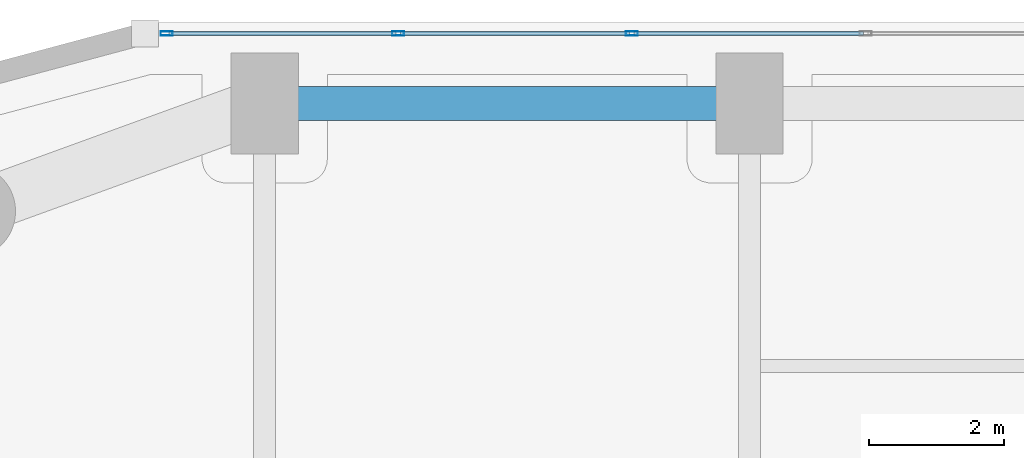
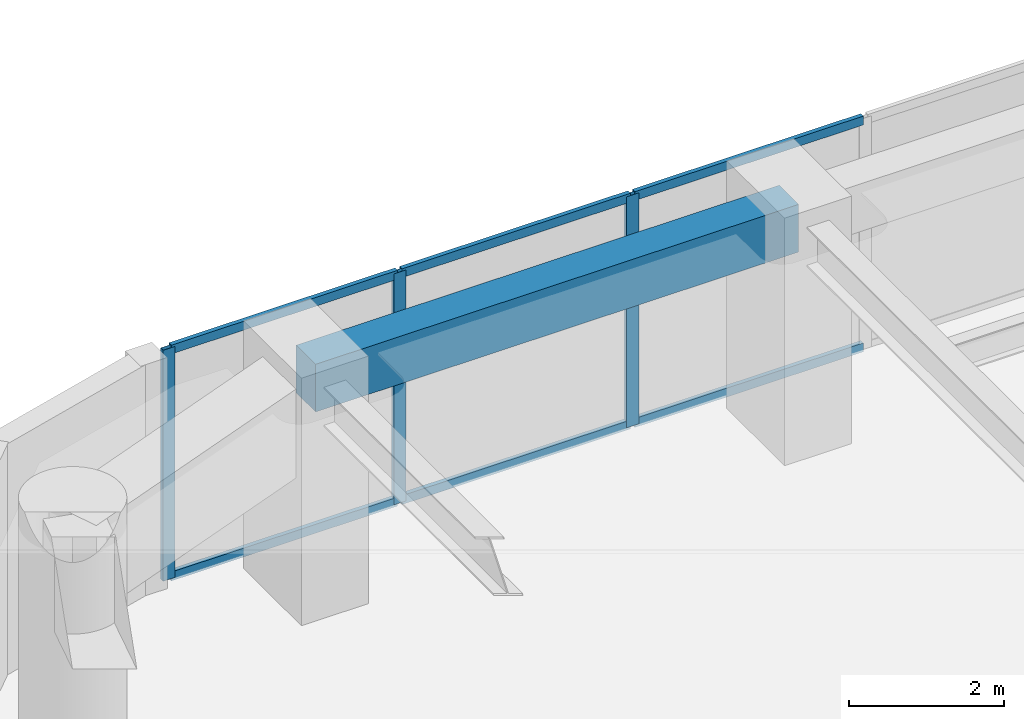
# One storey, part 13 of 24: 9 members, 1 beam, 1 element without a shape of its own.
"""IFC4 building model written with IfcOpenShell, lengths in metres."""

from ifc_helpers import new_model, si_unit, direction, frame, origin, origin_2d, place, context, subcontext, project, spatial, rectangle, hollow_rectangle, extrude, material, layer, layer_set, material_profile, profile_set, type_object, element, aggregate, save


model = new_model("IFC4")

# Units and contexts
model_context = context("Model", 3, precision=1e-05, world=origin(), true_north=direction((0.0, 1.0)))
body_context = subcontext(model_context, "Body", "Model", "MODEL_VIEW")
ifc_project = project(units=[si_unit("LENGTHUNIT", "METRE"), si_unit("AREAUNIT", "SQUARE_METRE"), si_unit("VOLUMEUNIT", "CUBIC_METRE"), si_unit("PLANEANGLEUNIT", "RADIAN"), si_unit("MASSUNIT", "GRAM", prefix="KILO")], contexts=[model_context])

# Site, building, storey
site_placement = place(None, origin())
site = spatial("IfcSite", under=ifc_project, at=site_placement, CompositionType="ELEMENT")
building_placement = place(site_placement, origin())
building = spatial("IfcBuilding", under=site, at=building_placement, Name="Kiyonajd Concourse Tower", CompositionType="ELEMENT")
storey_placement = place(building_placement, frame((0.0, 0.0, 85.800048828125)))
storey = spatial("IfcBuildingStorey", under=building, at=storey_placement, Name="L22", CompositionType="ELEMENT", Elevation=85.800048828125)

# Beam
ifc_material_1 = material(Name="Precast concrete C50/60", Category="concrete")
ifc_material_profile_1 = material_profile(ifc_material_1, rectangle(XDim=0.5, YDim=0.75, at=origin_2d()), Name="RCBM-500x750")
ifc_profile_set_1 = profile_set([ifc_material_profile_1], Name="Precast concrete C50/60")
beam_type = type_object("IfcBeamType", Name="BM-SPAN-RC", PredefinedType="SPANDREL", material=ifc_profile_set_1)
beam_placement = place(storey_placement, frame((32.39990234375, 61.199951171875, 3.264892578125), z_axis=(-1.0, 0.0, 0.0), x_axis=(0.0, -1.0, 0.0)))
element("IfcBeam", 1, at=beam_placement, inside=storey, type_object=beam_type, Name="L22 Perimeter Bundled Tube Spandrel", PredefinedType="SPANDREL", context=body_context, shape_type="SweptSolid", body=[
    extrude(rectangle(XDim=0.5, YDim=0.75, at=origin_2d()), origin(), (0.0, 0.0, 1.0), 7.199951171875),
])

# Curtain wall, members
ifc_material_2 = material(Name="Thermally Broken Anodised Aluminium", Category="aluminium")
ifc_layer = layer(ifc_material_2, 0.179931640625)
ifc_layer_set = layer_set([ifc_layer], Name="Thermally Broken Anodised Aluminium")
curtain_wall_type = type_object("IfcCurtainWallType", Name="CW-SYS-03", PredefinedType="NOTDEFINED", material=ifc_layer_set)
curtain_wall_placement = place(storey_placement, origin())
curtain_wall = element("IfcCurtainWall", 2, at=curtain_wall_placement, inside=storey, type_object=curtain_wall_type, Name="L22 Unitised Curtain Wall CW3", PredefinedType="NOTDEFINED")
ifc_material_profile_2 = material_profile(ifc_material_2, hollow_rectangle(XDim=0.06494140625, YDim=0.179931640625, WallThickness=0.00390625, at=origin_2d()), Name="MULL-65x180")
ifc_profile_set_2 = profile_set([ifc_material_profile_2], Name="Thermally Broken Anodised Aluminium")
member_type_1 = type_object("IfcMemberType", Name="MB-CW-MULL1", PredefinedType="MULLION", material=ifc_profile_set_2)
member_1_placement = place(storey_placement, frame((23.74365234375, 62.239990234375, 0.0), z_axis=(0.0, 0.0, 1.0), x_axis=(0.0, 1.0, 0.0)))
member_1 = element("IfcMember", 3, at=member_1_placement, type_object=member_type_1, Name="CW3 mullion 1", PredefinedType="MULLION", context=body_context, shape_type="SweptSolid", body=[
    extrude(hollow_rectangle(XDim=0.06494140625, YDim=0.179931640625, WallThickness=0.00390625, at=origin_2d()), origin(), (0.0, 0.0, 1.0), 3.639892578125),
])
member_2_placement = place(storey_placement, frame((27.181884765625, 62.239990234375, 0.0), z_axis=(0.0, 0.0, 1.0), x_axis=(0.0, 1.0, 0.0)))
member_2 = element("IfcMember", 4, at=member_2_placement, type_object=member_type_1, Name="CW3 mullion 2", PredefinedType="MULLION", context=body_context, shape_type="SweptSolid", body=[
    extrude(hollow_rectangle(XDim=0.06494140625, YDim=0.179931640625, WallThickness=0.00390625, at=origin_2d()), origin(), (0.0, 0.0, 1.0), 3.639892578125),
])
member_3_placement = place(storey_placement, frame((30.652587890625, 62.239990234375, 0.0), z_axis=(0.0, 0.0, 1.0), x_axis=(0.0, 1.0, 0.0)))
member_3 = element("IfcMember", 5, at=member_3_placement, type_object=member_type_1, Name="CW3 mullion 3", PredefinedType="MULLION", context=body_context, shape_type="SweptSolid", body=[
    extrude(hollow_rectangle(XDim=0.06494140625, YDim=0.179931640625, WallThickness=0.00390625, at=origin_2d()), origin(), (0.0, 0.0, 1.0), 3.639892578125),
])
ifc_material_profile_3 = material_profile(ifc_material_2, hollow_rectangle(XDim=0.06494140625, YDim=0.139892578125, WallThickness=0.00390625, at=origin_2d()), Name="TRAN-65x140")
ifc_profile_set_3 = profile_set([ifc_material_profile_3], Name="Thermally Broken Anodised Aluminium")
member_type_2 = type_object("IfcMemberType", Name="MB-CW-TRAN1", PredefinedType="USERDEFINED", material=ifc_profile_set_3)
member_4_placement = place(storey_placement, frame((23.776123046875, 62.239990234375, 0.032470703125), z_axis=(1.0, 0.0, 0.0), x_axis=(0.0, 1.0, 0.0)))
member_4 = element("IfcMember", 6, at=member_4_placement, type_object=member_type_2, Name="CW3 transom 1.1", ObjectType="TRANSOM", PredefinedType="USERDEFINED", context=body_context, shape_type="SweptSolid", body=[
    extrude(hollow_rectangle(XDim=0.06494140625, YDim=0.139892578125, WallThickness=0.00390625, at=origin_2d()), origin(), (0.0, 0.0, 1.0), 3.373291015625),
])
member_5_placement = place(storey_placement, frame((23.776123046875, 62.239990234375, 3.607421875), z_axis=(1.0, 0.0, 0.0), x_axis=(0.0, 1.0, 0.0)))
member_5 = element("IfcMember", 7, at=member_5_placement, type_object=member_type_2, Name="CW3 transom 1.2", ObjectType="TRANSOM", PredefinedType="USERDEFINED", context=body_context, shape_type="SweptSolid", body=[
    extrude(hollow_rectangle(XDim=0.06494140625, YDim=0.139892578125, WallThickness=0.00390625, at=origin_2d()), origin(), (0.0, 0.0, 1.0), 3.373291015625),
])
member_6_placement = place(storey_placement, frame((27.21435546875, 62.239990234375, 0.032470703125), z_axis=(1.0, 0.0, 0.0), x_axis=(0.0, 1.0, 0.0)))
member_6 = element("IfcMember", 8, at=member_6_placement, type_object=member_type_2, Name="CW3 transom 2.1", ObjectType="TRANSOM", PredefinedType="USERDEFINED", context=body_context, shape_type="SweptSolid", body=[
    extrude(hollow_rectangle(XDim=0.06494140625, YDim=0.139892578125, WallThickness=0.00390625, at=origin_2d()), origin(), (0.0, 0.0, 1.0), 3.40576171875),
])
member_7_placement = place(storey_placement, frame((27.21435546875, 62.239990234375, 3.607421875), z_axis=(1.0, 0.0, 0.0), x_axis=(0.0, 1.0, 0.0)))
member_7 = element("IfcMember", 9, at=member_7_placement, type_object=member_type_2, Name="CW3 transom 2.2", ObjectType="TRANSOM", PredefinedType="USERDEFINED", context=body_context, shape_type="SweptSolid", body=[
    extrude(hollow_rectangle(XDim=0.06494140625, YDim=0.139892578125, WallThickness=0.00390625, at=origin_2d()), origin(), (0.0, 0.0, 1.0), 3.40576171875),
])
member_8_placement = place(storey_placement, frame((30.68505859375, 62.239990234375, 0.032470703125), z_axis=(1.0, 0.0, 0.0), x_axis=(0.0, 1.0, 0.0)))
member_8 = element("IfcMember", 10, at=member_8_placement, type_object=member_type_2, Name="CW3 transom 3.1", ObjectType="TRANSOM", PredefinedType="USERDEFINED", context=body_context, shape_type="SweptSolid", body=[
    extrude(hollow_rectangle(XDim=0.06494140625, YDim=0.139892578125, WallThickness=0.00390625, at=origin_2d()), origin(), (0.0, 0.0, 1.0), 3.40576171875),
])
member_9_placement = place(storey_placement, frame((30.68505859375, 62.239990234375, 3.607421875), z_axis=(1.0, 0.0, 0.0), x_axis=(0.0, 1.0, 0.0)))
member_9 = element("IfcMember", 11, at=member_9_placement, type_object=member_type_2, Name="CW3 transom 3.2", ObjectType="TRANSOM", PredefinedType="USERDEFINED", context=body_context, shape_type="SweptSolid", body=[
    extrude(hollow_rectangle(XDim=0.06494140625, YDim=0.139892578125, WallThickness=0.00390625, at=origin_2d()), origin(), (0.0, 0.0, 1.0), 3.40576171875),
])
aggregate(curtain_wall, [member_1, member_2, member_3, member_4, member_5, member_6, member_7, member_8, member_9])

save(model, "model.ifc")
